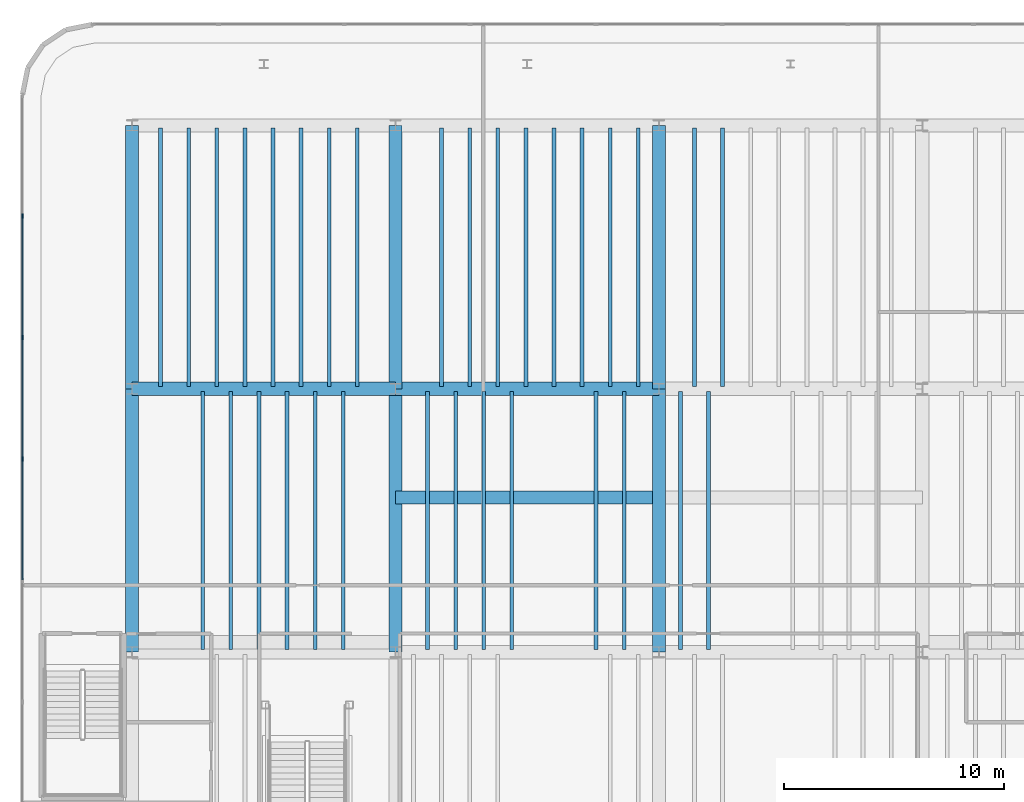
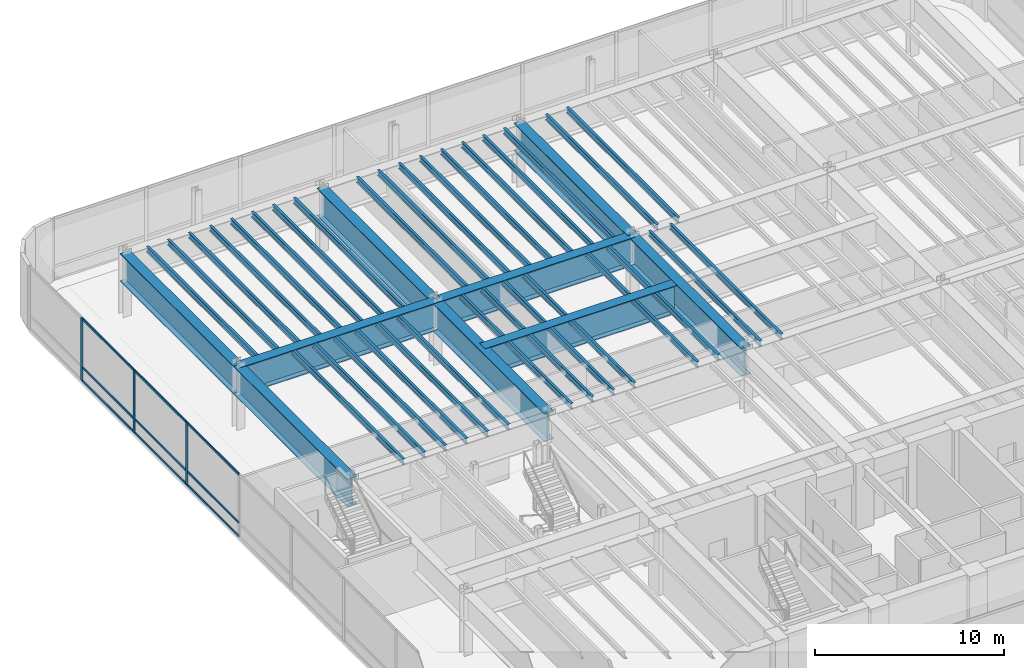
# One storey, part 8 of 19: 41 beams, 12 members, 1 element without a shape of its own.
"""IFC4 building model written with IfcOpenShell, lengths in metres."""

from ifc_helpers import new_model, si_unit, direction, frame, origin, origin_2d, place, context, subcontext, project, spatial, rectangle, i_section, extrude, source, transform, mapped, material, layer, layer_set, material_profile, profile_set, type_object, element, aggregate, save


model = new_model("IFC4")

# Units and contexts
model_context = context("Model", 3, precision=1e-05, world=origin(), true_north=direction((0.0, 1.0)))
body_context = subcontext(model_context, "Body", "Model", "MODEL_VIEW")
ifc_project = project(units=[si_unit("LENGTHUNIT", "METRE"), si_unit("AREAUNIT", "SQUARE_METRE"), si_unit("VOLUMEUNIT", "CUBIC_METRE"), si_unit("PLANEANGLEUNIT", "RADIAN"), si_unit("MASSUNIT", "GRAM", prefix="KILO")], contexts=[model_context])

# Site, building, storey
site_placement = place(None, origin())
site = spatial("IfcSite", under=ifc_project, at=site_placement, CompositionType="ELEMENT")
building_placement = place(site_placement, origin())
building = spatial("IfcBuilding", under=site, at=building_placement, Name="Brelvock Crest Care Tower", CompositionType="ELEMENT")
storey_placement = place(building_placement, frame((0.0, 0.0, 18.360107421875)))
storey = spatial("IfcBuildingStorey", under=building, at=storey_placement, Name="L04", CompositionType="ELEMENT", Elevation=18.360107421875)

# Beams
ifc_material_1 = material(Name="Steel Grade 350", Category="steel")
ifc_material_profile_1 = material_profile(ifc_material_1, i_section(OverallWidth=0.172119140625, OverallDepth=0.35888671875, WebThickness=0.008056640625, FlangeThickness=0.012939453125, FilletRadius=0.011474609375, at=origin_2d()), Name="360UB56.7")
ifc_profile_set_1 = profile_set([ifc_material_profile_1], Name="Steel Grade 350")
beam_type_1 = type_object("IfcBeamType", Name="BM-J1", PredefinedType="JOIST", material=ifc_profile_set_1)
shared_shape_1 = source(origin(), body_context, "Body", "SweptSolid", [
    extrude(i_section(OverallWidth=0.172119140625, OverallDepth=0.35888671875, WebThickness=0.008056640625, FlangeThickness=0.012939453125, FilletRadius=0.011474609375, at=origin_2d()), origin(), (0.0, 0.0, 1.0), 11.77001953125),
])
for number, where, z_axis, x_axis, name in (
    (1, (13.300048828125, 42.114990234375, 3.8603515625), (0.0, 1.0, 0.0), (-1.0, 0.0, 0.0), "BM-PODJ-L04-1330-42"),
    (2, (15.219970703125, 30.114990234375, 3.8603515625), (0.0, 1.0, 0.0), (-1.0, 0.0, 0.0), "BM-PODJ-L04-1522-30"),
    (3, (14.580078125, 42.114990234375, 3.8603515625), (0.0, 1.0, 0.0), (-1.0, 0.0, 0.0), "BM-PODJ-L04-1458-42"),
    (4, (16.5, 30.114990234375, 3.8603515625), (0.0, 1.0, 0.0), (-1.0, 0.0, 0.0), "BM-PODJ-L04-1650-30"),
    (5, (15.860107421875, 42.114990234375, 3.8603515625), (0.0, 1.0, 0.0), (-1.0, 0.0, 0.0), "BM-PODJ-L04-1586-42"),
    (6, (17.780029296875, 30.114990234375, 3.8603515625), (0.0, 1.0, 0.0), (-1.0, 0.0, 0.0), "BM-PODJ-L04-1778-30"),
    (7, (17.139892578125, 42.114990234375, 3.8603515625), (0.0, 1.0, 0.0), (-1.0, 0.0, 0.0), "BM-PODJ-L04-1714-42"),
    (8, (19.06005859375, 30.114990234375, 3.8603515625), (0.0, 1.0, 0.0), (-1.0, 0.0, 0.0), "BM-PODJ-L04-1906-30"),
    (9, (18.419921875, 42.114990234375, 3.8603515625), (0.0, 1.0, 0.0), (-1.0, 0.0, 0.0), "BM-PODJ-L04-1842-42"),
    (10, (20.340087890625, 30.114990234375, 3.8603515625), (0.0, 1.0, 0.0), (-1.0, 0.0, 0.0), "BM-PODJ-L04-2034-30"),
    (11, (19.699951171875, 42.114990234375, 3.8603515625), (0.0, 1.0, 0.0), (-1.0, 0.0, 0.0), "BM-PODJ-L04-1970-42"),
    (12, (21.6201171875, 30.114990234375, 3.8603515625), (0.0, 1.0, 0.0), (-1.0, 0.0, 0.0), "BM-PODJ-L04-2162-30"),
    (13, (20.97998046875, 42.114990234375, 3.8603515625), (0.0, 1.0, 0.0), (-1.0, 0.0, 0.0), "BM-PODJ-L04-2098-42"),
    (14, (22.260009765625, 42.114990234375, 3.8603515625), (0.0, 1.0, 0.0), (-1.0, 0.0, 0.0), "BM-PODJ-L04-2226-42"),
    (15, (25.4599609375, 30.114990234375, 3.8603515625), (0.0, 1.0, 0.0), (-1.0, 0.0, 0.0), "BM-PODJ-L04-2546-30"),
    (16, (26.739990234375, 30.114990234375, 3.8603515625), (0.0, 1.0, 0.0), (-1.0, 0.0, 0.0), "BM-PODJ-L04-2674-30"),
    (17, (26.10009765625, 42.114990234375, 3.8603515625), (0.0, 1.0, 0.0), (-1.0, 0.0, 0.0), "BM-PODJ-L04-2610-42"),
    (18, (28.02001953125, 30.114990234375, 3.8603515625), (0.0, 1.0, 0.0), (-1.0, 0.0, 0.0), "BM-PODJ-L04-2802-30"),
    (19, (27.3798828125, 42.114990234375, 3.8603515625), (0.0, 1.0, 0.0), (-1.0, 0.0, 0.0), "BM-PODJ-L04-2738-42"),
    (20, (29.300048828125, 30.114990234375, 3.8603515625), (0.0, 1.0, 0.0), (-1.0, 0.0, 0.0), "BM-PODJ-L04-2930-30"),
    (21, (28.659912109375, 42.114990234375, 3.8603515625), (0.0, 1.0, 0.0), (-1.0, 0.0, 0.0), "BM-PODJ-L04-2866-42"),
    (22, (29.93994140625, 42.114990234375, 3.8603515625), (0.0, 1.0, 0.0), (-1.0, 0.0, 0.0), "BM-PODJ-L04-2994-42"),
    (23, (31.219970703125, 42.114990234375, 3.8603515625), (0.0, 1.0, 0.0), (-1.0, 0.0, 0.0), "BM-PODJ-L04-3122-42"),
    (24, (33.139892578125, 30.114990234375, 3.8603515625), (0.0, 1.0, 0.0), (-1.0, 0.0, 0.0), "BM-PODJ-L04-3314-30"),
    (25, (32.5, 42.114990234375, 3.8603515625), (0.0, 1.0, 0.0), (-1.0, 0.0, 0.0), "BM-PODJ-L04-3250-42"),
    (26, (34.419921875, 30.114990234375, 3.8603515625), (0.0, 1.0, 0.0), (-1.0, 0.0, 0.0), "BM-PODJ-L04-3442-30"),
    (27, (33.780029296875, 42.114990234375, 3.8603515625), (0.0, 1.0, 0.0), (-1.0, 0.0, 0.0), "BM-PODJ-L04-3378-42"),
    (28, (35.06005859375, 42.114990234375, 3.8603515625), (0.0, 1.0, 0.0), (-1.0, 0.0, 0.0), "BM-PODJ-L04-3506-42"),
    (29, (36.97998046875, 30.114990234375, 3.8603515625), (0.0, 1.0, 0.0), (-1.0, 0.0, 0.0), "BM-PODJ-L04-3698-30"),
    (30, (38.260009765625, 30.114990234375, 3.8603515625), (0.0, 1.0, 0.0), (-1.0, 0.0, 0.0), "BM-PODJ-L04-3826-30"),
    (31, (37.6201171875, 42.114990234375, 3.8603515625), (0.0, 1.0, 0.0), (-1.0, 0.0, 0.0), "BM-PODJ-L04-3762-42"),
    (32, (38.89990234375, 42.114990234375, 3.8603515625), (0.0, 1.0, 0.0), (-1.0, 0.0, 0.0), "BM-PODJ-L04-3890-42"),
):
    element("IfcBeam", number, at=place(storey_placement, frame(where, z_axis=z_axis, x_axis=x_axis)), inside=storey, type_object=beam_type_1, Name=name, PredefinedType="JOIST", context=body_context, shape_type="MappedRepresentation", body=[
        mapped(shared_shape_1, transform((0.0, 0.0, 0.0), x_axis=(1.0, 0.0, 0.0), y_axis=(0.0, 1.0, 0.0), z_axis=(0.0, 0.0, 1.0), scale=1.0)),
    ])
ifc_material_profile_2 = material_profile(ifc_material_1, i_section(OverallWidth=0.60009765625, OverallDepth=1.800048828125, WebThickness=0.028076171875, FlangeThickness=0.052001953125, at=origin_2d()), Name="1800TG740")
ifc_profile_set_2 = profile_set([ifc_material_profile_2], Name="Steel Grade 350")
beam_type_2 = type_object("IfcBeamType", Name="BM-TG1", PredefinedType="USERDEFINED", material=ifc_profile_set_2)
shared_shape_2 = source(origin(), body_context, "Body", "SweptSolid", [
    extrude(i_section(OverallWidth=0.60009765625, OverallDepth=1.800048828125, WebThickness=0.028076171875, FlangeThickness=0.052001953125, at=origin_2d()), origin(), (0.0, 0.0, 1.0), 12.0),
])
for number, where, z_axis, x_axis, name in (
    (33, (12.0, 42.0, 3.139892578125), (1.0, 0.0, 0.0), (0.0, 1.0, 0.0), "BM-PODX-L04-42-12"),
    (34, (24.0, 42.0, 3.139892578125), (1.0, 0.0, 0.0), (0.0, 1.0, 0.0), "BM-PODX-L04-42-24"),
    (35, (12.0, 30.0, 3.139892578125), (0.0, 1.0, 0.0), (-1.0, 0.0, 0.0), "BM-PODY-L04-12-30"),
    (36, (12.0, 42.0, 3.139892578125), (0.0, 1.0, 0.0), (-1.0, 0.0, 0.0), "BM-PODY-L04-12-42"),
    (37, (24.0, 30.0, 3.139892578125), (0.0, 1.0, 0.0), (-1.0, 0.0, 0.0), "BM-PODY-L04-24-30"),
    (38, (24.0, 42.0, 3.139892578125), (0.0, 1.0, 0.0), (-1.0, 0.0, 0.0), "BM-PODY-L04-24-42"),
    (39, (36.0, 30.0, 3.139892578125), (0.0, 1.0, 0.0), (-1.0, 0.0, 0.0), "BM-PODY-L04-36-30"),
    (40, (36.0, 42.0, 3.139892578125), (0.0, 1.0, 0.0), (-1.0, 0.0, 0.0), "BM-PODY-L04-36-42"),
):
    element("IfcBeam", number, at=place(storey_placement, frame(where, z_axis=z_axis, x_axis=x_axis)), inside=storey, type_object=beam_type_2, Name=name, ObjectType="GIRDER", PredefinedType="USERDEFINED", context=body_context, shape_type="MappedRepresentation", body=[
        mapped(shared_shape_2, transform((0.0, 0.0, 0.0), x_axis=(1.0, 0.0, 0.0), y_axis=(0.0, 1.0, 0.0), z_axis=(0.0, 0.0, 1.0), scale=1.0)),
    ])
shared_shape_3 = source(origin(), body_context, "Body", "SweptSolid", [
    extrude(i_section(OverallWidth=0.60009765625, OverallDepth=1.800048828125, WebThickness=0.028076171875, FlangeThickness=0.052001953125, at=origin_2d()), origin(), (0.0, 0.0, 1.0), 11.699951171875),
])
beam_placement = place(storey_placement, frame((24.0, 37.050048828125, 3.139892578125), z_axis=(1.0, 0.0, 0.0), x_axis=(0.0, 1.0, 0.0)))
element("IfcBeam", 41, at=beam_placement, inside=storey, type_object=beam_type_2, Name="BM-TG04-Y37-W", ObjectType="GIRDER", PredefinedType="USERDEFINED", context=body_context, shape_type="MappedRepresentation", body=[
    mapped(shared_shape_3, transform((0.0, 0.0, 0.0), x_axis=(1.0, 0.0, 0.0), y_axis=(0.0, 1.0, 0.0), z_axis=(0.0, 0.0, 1.0), scale=1.0)),
])

# Curtain wall, members
ifc_material_2 = material(Name="Dark Glass Double Glazed Low-E", Category="glass")
ifc_layer = layer(ifc_material_2, 0.179931640625, Name="CWS-1")
ifc_layer_set = layer_set([ifc_layer], Name="Dark Glass Double Glazed Low-E")
curtain_wall_type = type_object("IfcCurtainWallType", Name="CWS-1", PredefinedType="NOTDEFINED", material=ifc_layer_set)
curtain_wall_placement = place(storey_placement, origin())
curtain_wall = element("IfcCurtainWall", 42, at=curtain_wall_placement, inside=storey, type_object=curtain_wall_type, Name="L04 Curtain Wall E04", PredefinedType="NOTDEFINED")
ifc_material_3 = material(Name="Aluminium 6063-T6", Category="aluminium")
ifc_material_profile_3 = material_profile(ifc_material_3, rectangle(XDim=0.06494140625, YDim=0.14990234375, at=origin_2d()), Name="ALU65x150")
ifc_profile_set_3 = profile_set([ifc_material_profile_3], Name="Aluminium 6063-T6")
member_type_1 = type_object("IfcMemberType", Name="CWT-1", PredefinedType="USERDEFINED", material=ifc_profile_set_3)
shared_shape_4 = source(origin(), body_context, "Body", "SweptSolid", [
    extrude(rectangle(XDim=0.06494140625, YDim=0.14990234375, at=origin_2d()), origin(), (0.0, 0.0, 1.0), 5.468505859375),
])
member_1_placement = place(storey_placement, frame((7.0, 33.299072265625, 0.032470703125), z_axis=(0.0, 1.0, 0.0), x_axis=(-1.0, 0.0, 0.0)))
member_1 = element("IfcMember", 43, at=member_1_placement, type_object=member_type_1, Name="CW-1 transom 6.1", ObjectType="TRANSOM", PredefinedType="USERDEFINED", context=body_context, shape_type="MappedRepresentation", body=[
    mapped(shared_shape_4, transform((0.0, 0.0, 0.0), x_axis=(1.0, 0.0, 0.0), y_axis=(0.0, 1.0, 0.0), z_axis=(0.0, 0.0, 1.0), scale=1.0)),
])
member_2_placement = place(storey_placement, frame((7.0, 33.299072265625, 0.89990234375), z_axis=(0.0, 1.0, 0.0), x_axis=(-1.0, 0.0, 0.0)))
member_2 = element("IfcMember", 44, at=member_2_placement, type_object=member_type_1, Name="CW-1 transom 6.2", ObjectType="TRANSOM", PredefinedType="USERDEFINED", context=body_context, shape_type="MappedRepresentation", body=[
    mapped(shared_shape_4, transform((0.0, 0.0, 0.0), x_axis=(1.0, 0.0, 0.0), y_axis=(0.0, 1.0, 0.0), z_axis=(0.0, 0.0, 1.0), scale=1.0)),
])
member_3_placement = place(storey_placement, frame((7.0, 33.299072265625, 4.00732421875), z_axis=(0.0, 1.0, 0.0), x_axis=(-1.0, 0.0, 0.0)))
member_3 = element("IfcMember", 45, at=member_3_placement, type_object=member_type_1, Name="CW-1 transom 6.3", ObjectType="TRANSOM", PredefinedType="USERDEFINED", context=body_context, shape_type="MappedRepresentation", body=[
    mapped(shared_shape_4, transform((0.0, 0.0, 0.0), x_axis=(1.0, 0.0, 0.0), y_axis=(0.0, 1.0, 0.0), z_axis=(0.0, 0.0, 1.0), scale=1.0)),
])
member_4_placement = place(storey_placement, frame((7.0, 44.36572265625, 0.032470703125), z_axis=(0.0, 1.0, 0.0), x_axis=(-1.0, 0.0, 0.0)))
member_4 = element("IfcMember", 46, at=member_4_placement, type_object=member_type_1, Name="CW-1 transom 8.1", ObjectType="TRANSOM", PredefinedType="USERDEFINED", context=body_context, shape_type="MappedRepresentation", body=[
    mapped(shared_shape_4, transform((0.0, 0.0, 0.0), x_axis=(1.0, 0.0, 0.0), y_axis=(0.0, 1.0, 0.0), z_axis=(0.0, 0.0, 1.0), scale=1.0)),
])
member_5_placement = place(storey_placement, frame((7.0, 44.36572265625, 0.89990234375), z_axis=(0.0, 1.0, 0.0), x_axis=(-1.0, 0.0, 0.0)))
member_5 = element("IfcMember", 47, at=member_5_placement, type_object=member_type_1, Name="CW-1 transom 8.2", ObjectType="TRANSOM", PredefinedType="USERDEFINED", context=body_context, shape_type="MappedRepresentation", body=[
    mapped(shared_shape_4, transform((0.0, 0.0, 0.0), x_axis=(1.0, 0.0, 0.0), y_axis=(0.0, 1.0, 0.0), z_axis=(0.0, 0.0, 1.0), scale=1.0)),
])
member_6_placement = place(storey_placement, frame((7.0, 44.36572265625, 4.00732421875), z_axis=(0.0, 1.0, 0.0), x_axis=(-1.0, 0.0, 0.0)))
member_6 = element("IfcMember", 48, at=member_6_placement, type_object=member_type_1, Name="CW-1 transom 8.3", ObjectType="TRANSOM", PredefinedType="USERDEFINED", context=body_context, shape_type="MappedRepresentation", body=[
    mapped(shared_shape_4, transform((0.0, 0.0, 0.0), x_axis=(1.0, 0.0, 0.0), y_axis=(0.0, 1.0, 0.0), z_axis=(0.0, 0.0, 1.0), scale=1.0)),
])
shared_shape_5 = source(origin(), body_context, "Body", "SweptSolid", [
    extrude(rectangle(XDim=0.06494140625, YDim=0.14990234375, at=origin_2d()), origin(), (0.0, 0.0, 1.0), 5.46826171875),
])
member_7_placement = place(storey_placement, frame((7.0, 38.83251953125, 0.032470703125), z_axis=(0.0, 1.0, 0.0), x_axis=(-1.0, 0.0, 0.0)))
member_7 = element("IfcMember", 49, at=member_7_placement, type_object=member_type_1, Name="CW-1 transom 7.1", ObjectType="TRANSOM", PredefinedType="USERDEFINED", context=body_context, shape_type="MappedRepresentation", body=[
    mapped(shared_shape_5, transform((0.0, 0.0, 0.0), x_axis=(1.0, 0.0, 0.0), y_axis=(0.0, 1.0, 0.0), z_axis=(0.0, 0.0, 1.0), scale=1.0)),
])
member_8_placement = place(storey_placement, frame((7.0, 38.83251953125, 0.89990234375), z_axis=(0.0, 1.0, 0.0), x_axis=(-1.0, 0.0, 0.0)))
member_8 = element("IfcMember", 50, at=member_8_placement, type_object=member_type_1, Name="CW-1 transom 7.2", ObjectType="TRANSOM", PredefinedType="USERDEFINED", context=body_context, shape_type="MappedRepresentation", body=[
    mapped(shared_shape_5, transform((0.0, 0.0, 0.0), x_axis=(1.0, 0.0, 0.0), y_axis=(0.0, 1.0, 0.0), z_axis=(0.0, 0.0, 1.0), scale=1.0)),
])
member_9_placement = place(storey_placement, frame((7.0, 38.83251953125, 4.00732421875), z_axis=(0.0, 1.0, 0.0), x_axis=(-1.0, 0.0, 0.0)))
member_9 = element("IfcMember", 51, at=member_9_placement, type_object=member_type_1, Name="CW-1 transom 7.3", ObjectType="TRANSOM", PredefinedType="USERDEFINED", context=body_context, shape_type="MappedRepresentation", body=[
    mapped(shared_shape_5, transform((0.0, 0.0, 0.0), x_axis=(1.0, 0.0, 0.0), y_axis=(0.0, 1.0, 0.0), z_axis=(0.0, 0.0, 1.0), scale=1.0)),
])
ifc_material_profile_4 = material_profile(ifc_material_3, rectangle(XDim=0.06494140625, YDim=0.199951171875, at=origin_2d()), Name="ALU65x200")
ifc_profile_set_4 = profile_set([ifc_material_profile_4], Name="Aluminium 6063-T6")
member_type_2 = type_object("IfcMemberType", Name="CWM-1", PredefinedType="MULLION", material=ifc_profile_set_4)
shared_shape_6 = source(origin(), body_context, "Body", "SweptSolid", [
    extrude(rectangle(XDim=0.06494140625, YDim=0.199951171875, at=origin_2d()), origin(), (0.0, 0.0, 1.0), 4.039794921875),
])
member_10_placement = place(storey_placement, frame((7.0, 38.800048828125, 0.0), z_axis=(0.0, 0.0, 1.0), x_axis=(-1.0, 0.0, 0.0)))
member_10 = element("IfcMember", 52, at=member_10_placement, type_object=member_type_2, Name="CW-1 mullion 7", PredefinedType="MULLION", context=body_context, shape_type="MappedRepresentation", body=[
    mapped(shared_shape_6, transform((0.0, 0.0, 0.0), x_axis=(1.0, 0.0, 0.0), y_axis=(0.0, 1.0, 0.0), z_axis=(0.0, 0.0, 1.0), scale=1.0)),
])
member_11_placement = place(storey_placement, frame((7.0, 44.333251953125, 0.0), z_axis=(0.0, 0.0, 1.0), x_axis=(-1.0, 0.0, 0.0)))
member_11 = element("IfcMember", 53, at=member_11_placement, type_object=member_type_2, Name="CW-1 mullion 8", PredefinedType="MULLION", context=body_context, shape_type="MappedRepresentation", body=[
    mapped(shared_shape_6, transform((0.0, 0.0, 0.0), x_axis=(1.0, 0.0, 0.0), y_axis=(0.0, 1.0, 0.0), z_axis=(0.0, 0.0, 1.0), scale=1.0)),
])
member_12_placement = place(storey_placement, frame((7.0, 49.86669921875, 0.0), z_axis=(0.0, 0.0, 1.0), x_axis=(-1.0, 0.0, 0.0)))
member_12 = element("IfcMember", 54, at=member_12_placement, type_object=member_type_2, Name="CW-1 mullion 9", PredefinedType="MULLION", context=body_context, shape_type="MappedRepresentation", body=[
    mapped(shared_shape_6, transform((0.0, 0.0, 0.0), x_axis=(1.0, 0.0, 0.0), y_axis=(0.0, 1.0, 0.0), z_axis=(0.0, 0.0, 1.0), scale=1.0)),
])
aggregate(curtain_wall, [member_10, member_11, member_12, member_1, member_2, member_3, member_7, member_8, member_9, member_4, member_5, member_6])

save(model, "model.ifc")
